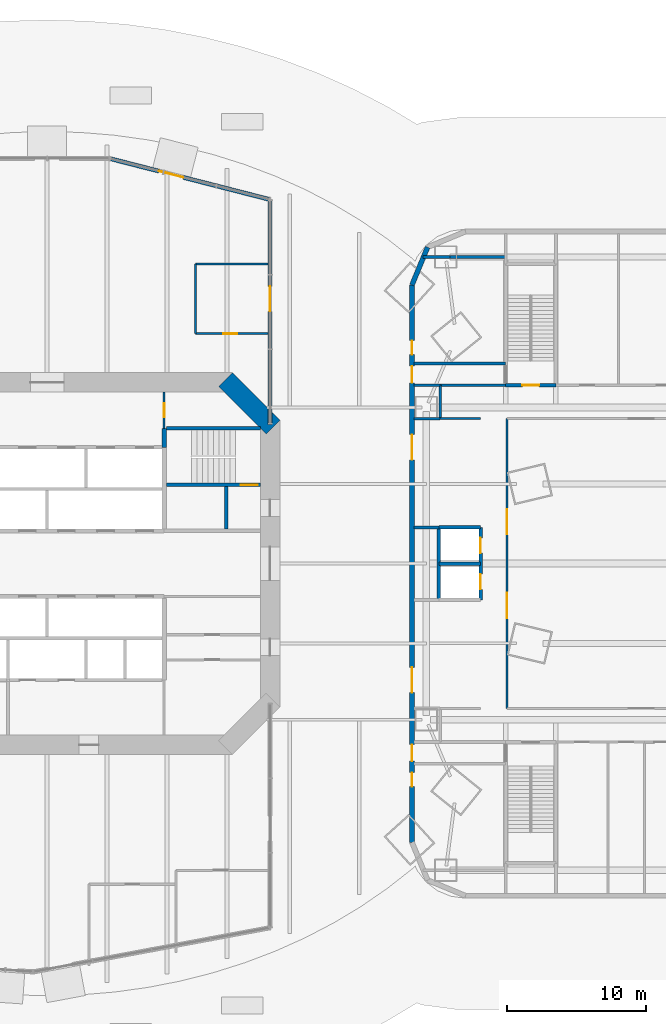
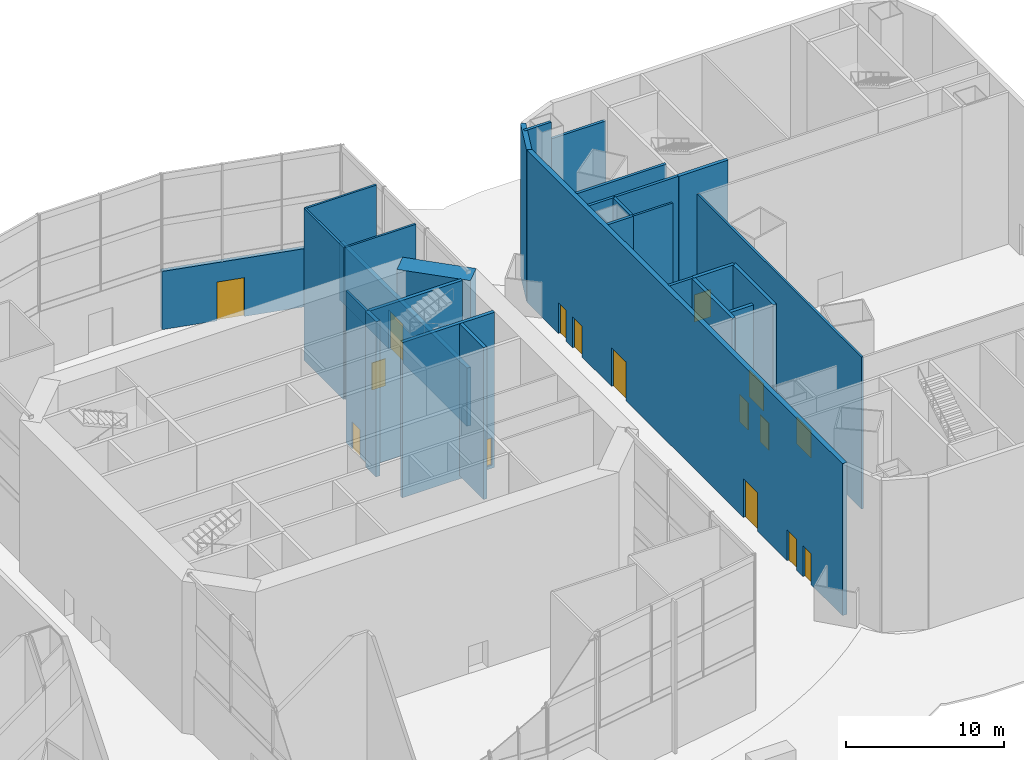
# One storey, part 16 of 23: 28 walls, 16 doors, 16 openings.
"""IFC4 building model written with IfcOpenShell, lengths in metres."""

from ifc_helpers import new_model, si_unit, direction, frame, frame_2d, origin, place, context, subcontext, project, spatial, rectangle, extrude, material, layer, layer_set, type_object, element, fill, save


model = new_model("IFC4")

# Units and contexts
model_context = context("Model", 3, precision=1e-05, world=origin(), true_north=direction((0.0, 1.0)))
body_context = subcontext(model_context, "Body", "Model", "MODEL_VIEW")
ifc_project = project(units=[si_unit("LENGTHUNIT", "METRE"), si_unit("AREAUNIT", "SQUARE_METRE"), si_unit("VOLUMEUNIT", "CUBIC_METRE"), si_unit("PLANEANGLEUNIT", "RADIAN"), si_unit("MASSUNIT", "GRAM", prefix="KILO")], contexts=[model_context])

# Site, building, storey
site_placement = place(None, origin())
site = spatial("IfcSite", under=ifc_project, at=site_placement, CompositionType="ELEMENT")
building_placement = place(site_placement, origin())
building = spatial("IfcBuilding", under=site, at=building_placement, Name="Marenthal Gate Tower", CompositionType="ELEMENT")
storey_placement = place(building_placement, origin())
storey = spatial("IfcBuildingStorey", under=building, at=storey_placement, Name="L00", CompositionType="ELEMENT", Elevation=0.0)

# Wall
ifc_material_1 = material(Name="Concrete 60 MPa", Category="concrete")
ifc_layer_1 = layer(ifc_material_1, 1.39990234375)
ifc_layer_set_1 = layer_set([ifc_layer_1], Name="Core shear wall 1400")
wall_type_1 = type_object("IfcWallType", Name="Core shear wall 1400", PredefinedType="SHEAR", material=ifc_layer_set_1)
wall_1_placement = place(storey_placement, frame((16.205078125, 9.794921875, -0.25), z_axis=(0.0, 0.0, 1.0), x_axis=(-0.707106781187, 0.707106781187, 0.0)))
element("IfcWall", 1, at=wall_1_placement, inside=storey, type_object=wall_type_1, Name="Core wall 03", PredefinedType="SHEAR", context=body_context, shape_type="SweptSolid", body=[
    extrude(rectangle(XDim=4.82275390625, YDim=1.39990234375, at=frame_2d((2.411376953125, 0.0))), origin(), (0.0, 0.0, 1.0), 12.0),
])

# Wall, opening, door
ifc_material_2 = material(Name="Terracotta cladding on insulated concrete-block backing", Category="masonry")
ifc_layer_2 = layer(ifc_material_2, 0.300048828125)
ifc_layer_set_2 = layer_set([ifc_layer_2], Name="Entrance portal wall 300")
wall_type_2 = type_object("IfcWallType", Name="Entrance portal wall 300", PredefinedType="SOLIDWALL", material=ifc_layer_set_2)
wall_2_placement = place(storey_placement, frame((4.5, 29.06103515625, 0.0), z_axis=(0.0, 0.0, 1.0), x_axis=(0.968767439199, -0.247971064335, 0.0)))
wall_2 = element("IfcWall", 2, at=wall_2_placement, inside=storey, type_object=wall_type_2, Name="Entrance portal wall N3", PredefinedType="SOLIDWALL", context=body_context, shape_type="SweptSolid", body=[
    extrude(rectangle(XDim=11.870849609375, YDim=0.300048828125, at=frame_2d((5.935546875, 0.0))), origin(), (0.0, 0.0, 1.0), 4.5),
])
opening_1_placement = place(wall_2_placement, frame((3.640380859375, 0.0, 0.0)))
opening_1 = element("IfcOpeningElement", 3, at=opening_1_placement, cuts=wall_2, Name="Opening DE1-L00-03", PredefinedType="OPENING", context=body_context, shape_type="SweptSolid", body=[
    extrude(rectangle(XDim=1.800048828125, YDim=3.0, at=frame_2d((0.89990234375, 1.5))), frame((0.0, 0.16015625, 0.0), z_axis=(0.0, -1.0, 0.0), x_axis=(1.0, 0.0, 0.0)), (0.0, 0.0, 1.0), 0.320068359375),
])
ifc_material_3 = material(Name="Aluminium and glass", Category="aluminium")
door_type_1 = type_object("IfcDoorType", Name="Entrance door 1800x3000", OperationType="DOUBLE_DOOR_DOUBLE_SWING", PredefinedType="DOOR", material=ifc_material_3)
door_1_placement = place(opening_1_placement, origin())
door_1 = element("IfcDoor", 4, at=door_1_placement, inside=storey, type_object=door_type_1, Name="Exterior door DE1-L00-03 L00", OperationType="DOUBLE_DOOR_DOUBLE_SWING", OverallHeight=3.0, OverallWidth=1.800048828125, PredefinedType="DOOR", context=body_context, shape_type="SweptSolid", body=[
    extrude(rectangle(XDim=1.800048828125, YDim=3.0, at=frame_2d((0.89990234375, 1.5))), frame((0.0, 0.02490234375, 0.0), z_axis=(0.0, -1.0, 0.0), x_axis=(1.0, 0.0, 0.0)), (0.0, 0.0, 1.0), 0.050048828125),
])
fill(opening_1, door_1)

wall_3_placement = place(storey_placement, frame((16.0, 10.0, 0.0), z_axis=(0.0, 0.0, 1.0), x_axis=(0.0, 1.0, 0.0)))
wall_3 = element("IfcWall", 5, at=wall_3_placement, inside=storey, type_object=wall_type_2, Name="Hall wall NE1", PredefinedType="SOLIDWALL", context=body_context, shape_type="SweptSolid", body=[
    extrude(rectangle(XDim=16.117431640625, YDim=0.300048828125, at=frame_2d((8.05859375, 0.0))), origin(), (0.0, 0.0, 1.0), 4.5),
])
opening_2_placement = place(wall_3_placement, frame((8.10009765625, 0.0, 0.0)))
opening_2 = element("IfcOpeningElement", 6, at=opening_2_placement, cuts=wall_3, Name="Opening DE1-L00-08", PredefinedType="OPENING", context=body_context, shape_type="SweptSolid", body=[
    extrude(rectangle(XDim=1.800048828125, YDim=3.0, at=frame_2d((0.89990234375, 1.5))), frame((0.0, 0.16015625, 0.0), z_axis=(0.0, -1.0, 0.0), x_axis=(1.0, 0.0, 0.0)), (0.0, 0.0, 1.0), 0.320068359375),
])
door_2_placement = place(opening_2_placement, frame((1.800048828125, 0.0, 0.0), z_axis=(0.0, 0.0, 1.0), x_axis=(-1.0, 0.0, 0.0)))
door_2 = element("IfcDoor", 7, at=door_2_placement, inside=storey, type_object=door_type_1, Name="Exterior door DE1-L00-08 L00", OperationType="DOUBLE_DOOR_DOUBLE_SWING", OverallHeight=3.0, OverallWidth=1.800048828125, PredefinedType="DOOR", context=body_context, shape_type="SweptSolid", body=[
    extrude(rectangle(XDim=1.800048828125, YDim=3.0, at=frame_2d((0.89990234375, 1.5))), frame((0.0, 0.02490234375, 0.0), z_axis=(0.0, -1.0, 0.0), x_axis=(1.0, 0.0, 0.0)), (0.0, 0.0, 1.0), 0.050048828125),
])
fill(opening_2, door_2)

# Walls
ifc_material_4 = material(Name="Concrete 40 MPa", Category="concrete")
ifc_layer_3 = layer(ifc_material_4, 0.25)
ifc_layer_set_3 = layer_set([ifc_layer_3], Name="Hoistway wall 250")
wall_type_3 = type_object("IfcWallType", Name="Hoistway wall 250", PredefinedType="STANDARD", material=ifc_layer_set_3)
wall_4_placement = place(storey_placement, frame((28.10009765625, 0.0, 0.0), z_axis=(0.0, 0.0, 1.0), x_axis=(1.0, 0.0, 0.0)))
element("IfcWall", 8, at=wall_4_placement, inside=storey, type_object=wall_type_3, Name="Hoistway wall 51", PredefinedType="STANDARD", context=body_context, shape_type="SweptSolid", body=[
    extrude(rectangle(XDim=3.0, YDim=0.25, at=frame_2d((1.5, 0.0))), origin(), (0.0, 0.0, 1.0), 10.25),
])
wall_5_placement = place(storey_placement, frame((28.10009765625, 2.60009765625, 0.0), z_axis=(0.0, 0.0, 1.0), x_axis=(1.0, 0.0, 0.0)))
element("IfcWall", 9, at=wall_5_placement, inside=storey, type_object=wall_type_3, Name="Hoistway wall 53", PredefinedType="STANDARD", context=body_context, shape_type="SweptSolid", body=[
    extrude(rectangle(XDim=3.0, YDim=0.25, at=frame_2d((1.5, 0.0))), origin(), (0.0, 0.0, 1.0), 11.75),
])

# Wall, openings, doors
wall_6_placement = place(storey_placement, frame((31.10009765625, -2.60009765625, 0.0), z_axis=(0.0, 0.0, 1.0), x_axis=(0.0, 1.0, 0.0)))
wall_6 = element("IfcWall", 10, at=wall_6_placement, inside=storey, type_object=wall_type_3, Name="Hoistway wall 54", PredefinedType="STANDARD", context=body_context, shape_type="SweptSolid", body=[
    extrude(rectangle(XDim=5.2001953125, YDim=0.25, at=frame_2d((2.60009765625, 0.0))), origin(), (0.0, 0.0, 1.0), 11.75),
])
opening_3_placement = place(wall_6_placement, frame((0.75, 0.0, 0.0)))
opening_3 = element("IfcOpeningElement", 11, at=opening_3_placement, cuts=wall_6, Name="Opening LD.01", PredefinedType="OPENING", context=body_context, shape_type="SweptSolid", body=[
    extrude(rectangle(XDim=1.10009765625, YDim=2.10009765625, at=frame_2d((0.550048828125, 1.050048828125))), frame((0.0, 0.135009765625, 0.0), z_axis=(0.0, -1.0, 0.0), x_axis=(1.0, 0.0, 0.0)), (0.0, 0.0, 1.0), 0.27001953125),
])
opening_4_placement = place(wall_6_placement, frame((3.35009765625, 0.0, 0.0)))
opening_4 = element("IfcOpeningElement", 12, at=opening_4_placement, cuts=wall_6, Name="Opening LD.02", PredefinedType="OPENING", context=body_context, shape_type="SweptSolid", body=[
    extrude(rectangle(XDim=1.10009765625, YDim=2.10009765625, at=frame_2d((0.550048828125, 1.050048828125))), frame((0.0, 0.135009765625, 0.0), z_axis=(0.0, -1.0, 0.0), x_axis=(1.0, 0.0, 0.0)), (0.0, 0.0, 1.0), 0.27001953125),
])
ifc_material_5 = material(Name="Stainless steel sliding door", Category="steel")
door_type_2 = type_object("IfcDoorType", Name="Lift landing door FD 90 1100 x 2100", OperationType="DOUBLE_DOOR_SLIDING", PredefinedType="DOOR", material=ifc_material_5)
door_3_placement = place(opening_3_placement, origin())
door_3 = element("IfcDoor", 13, at=door_3_placement, inside=storey, type_object=door_type_2, Name="Lift landing door 01", OperationType="DOUBLE_DOOR_SLIDING", OverallHeight=2.10009765625, OverallWidth=1.10009765625, PredefinedType="DOOR", context=body_context, shape_type="SweptSolid", body=[
    extrude(rectangle(XDim=1.10009765625, YDim=2.10009765625, at=frame_2d((0.550048828125, 1.050048828125))), frame((0.0, 0.02490234375, 0.0), z_axis=(0.0, -1.0, 0.0), x_axis=(1.0, 0.0, 0.0)), (0.0, 0.0, 1.0), 0.050048828125),
])
fill(opening_3, door_3)
door_4_placement = place(opening_4_placement, origin())
door_4 = element("IfcDoor", 14, at=door_4_placement, inside=storey, type_object=door_type_2, Name="Lift landing door 02", OperationType="DOUBLE_DOOR_SLIDING", OverallHeight=2.10009765625, OverallWidth=1.10009765625, PredefinedType="DOOR", context=body_context, shape_type="SweptSolid", body=[
    extrude(rectangle(XDim=1.10009765625, YDim=2.10009765625, at=frame_2d((0.550048828125, 1.050048828125))), frame((0.0, 0.02490234375, 0.0), z_axis=(0.0, -1.0, 0.0), x_axis=(1.0, 0.0, 0.0)), (0.0, 0.0, 1.0), 0.050048828125),
])
fill(opening_4, door_4)

# Wall
wall_7_placement = place(storey_placement, frame((28.10009765625, -2.60009765625, 0.0), z_axis=(0.0, 0.0, 1.0), x_axis=(0.0, 1.0, 0.0)))
element("IfcWall", 15, at=wall_7_placement, inside=storey, type_object=wall_type_3, Name="Hoistway wall 55", PredefinedType="STANDARD", context=body_context, shape_type="SweptSolid", body=[
    extrude(rectangle(XDim=5.2001953125, YDim=0.25, at=frame_2d((2.60009765625, 0.0))), origin(), (0.0, 0.0, 1.0), 11.75),
])

# Wall, opening, door
ifc_material_6 = material(Name="Gypsum board on steel studs", Category="steel")
ifc_layer_4 = layer(ifc_material_6, 0.14990234375)
ifc_layer_set_4 = layer_set([ifc_layer_4], Name="Partition 150")
wall_type_4 = type_object("IfcWallType", Name="Partition 150", PredefinedType="PARTITIONING", material=ifc_layer_set_4)
wall_8_placement = place(storey_placement, frame((8.39990234375, 9.699951171875, 0.0), z_axis=(0.0, 0.0, 1.0), x_axis=(0.0, 1.0, 0.0)))
wall_8 = element("IfcWall", 16, at=wall_8_placement, inside=storey, type_object=wall_type_4, Name="Partition wall 46", PredefinedType="PARTITIONING", context=body_context, shape_type="SweptSolid", body=[
    extrude(rectangle(XDim=2.60009765625, YDim=0.14990234375, at=frame_2d((1.300048828125, 0.0))), origin(), (0.0, 0.0, 1.0), 11.75),
])
opening_5_placement = place(wall_8_placement, frame((0.800048828125, 0.0, 0.0)))
opening_5 = element("IfcOpeningElement", 17, at=opening_5_placement, cuts=wall_8, Name="Opening D005.02", PredefinedType="OPENING", context=body_context, shape_type="SweptSolid", body=[
    extrude(rectangle(XDim=1.0, YDim=2.10009765625, at=frame_2d((0.5, 1.050048828125))), frame((0.0, 0.0849609375, 0.0), z_axis=(0.0, -1.0, 0.0), x_axis=(1.0, 0.0, 0.0)), (0.0, 0.0, 1.0), 0.169921875),
])
ifc_material_7 = material(Name="Steel fire door", Category="steel")
door_type_3 = type_object("IfcDoorType", Name="Fire door FD 45 1000 x 2100", OperationType="NOTDEFINED", PredefinedType="DOOR", material=ifc_material_7)
door_5_placement = place(opening_5_placement, frame((1.0, 0.0, 0.0), z_axis=(0.0, 0.0, 1.0), x_axis=(-1.0, 0.0, 0.0)))
door_5 = element("IfcDoor", 18, at=door_5_placement, inside=storey, type_object=door_type_3, Name="Door D005.02", OperationType="SINGLE_SWING_LEFT", OverallHeight=2.10009765625, OverallWidth=1.0, PredefinedType="DOOR", context=body_context, shape_type="SweptSolid", body=[
    extrude(rectangle(XDim=1.0, YDim=2.10009765625, at=frame_2d((0.5, 1.050048828125))), frame((0.0, 0.02490234375, 0.0), z_axis=(0.0, -1.0, 0.0), x_axis=(1.0, 0.0, 0.0)), (0.0, 0.0, 1.0), 0.050048828125),
])
fill(opening_5, door_5)

# Wall
wall_9_placement = place(storey_placement, frame((28.199951171875, 10.39990234375, 0.0), z_axis=(0.0, 0.0, 1.0), x_axis=(1.0, 0.0, 0.0)))
element("IfcWall", 19, at=wall_9_placement, inside=storey, type_object=wall_type_4, Name="Partition wall 82", PredefinedType="PARTITIONING", context=body_context, shape_type="SweptSolid", body=[
    extrude(rectangle(XDim=2.905029296875, YDim=0.14990234375, at=frame_2d((1.45263671875, 0.0))), origin(), (0.0, 0.0, 1.0), 11.75),
])

# Wall, opening, door
wall_10_placement = place(storey_placement, frame((10.64990234375, 16.5, 0.0), z_axis=(0.0, 0.0, 1.0), x_axis=(1.0, 0.0, 0.0)))
wall_10 = element("IfcWall", 20, at=wall_10_placement, inside=storey, type_object=wall_type_4, Name="Partition wall 87", PredefinedType="PARTITIONING", context=body_context, shape_type="SweptSolid", body=[
    extrude(rectangle(XDim=5.2001953125, YDim=0.14990234375, at=frame_2d((2.60009765625, 0.0))), origin(), (0.0, 0.0, 1.0), 11.75),
])
opening_6_placement = place(wall_10_placement, frame((2.0, 0.0, 0.0)))
opening_6 = element("IfcOpeningElement", 21, at=opening_6_placement, cuts=wall_10, Name="Opening D012.02", PredefinedType="OPENING", context=body_context, shape_type="SweptSolid", body=[
    extrude(rectangle(XDim=1.0, YDim=2.10009765625, at=frame_2d((0.5, 1.050048828125))), frame((0.0, 0.0849609375, 0.0), z_axis=(0.0, -1.0, 0.0), x_axis=(1.0, 0.0, 0.0)), (0.0, 0.0, 1.0), 0.169921875),
])
ifc_material_8 = material(Name="Timber door", Category="wood")
door_type_4 = type_object("IfcDoorType", Name="Door 1000 x 2100", OperationType="NOTDEFINED", PredefinedType="DOOR", material=ifc_material_8)
door_6_placement = place(opening_6_placement, origin())
door_6 = element("IfcDoor", 22, at=door_6_placement, inside=storey, type_object=door_type_4, Name="Door D012.02", OperationType="SINGLE_SWING_RIGHT", OverallHeight=2.10009765625, OverallWidth=1.0, PredefinedType="DOOR", context=body_context, shape_type="SweptSolid", body=[
    extrude(rectangle(XDim=1.0, YDim=2.10009765625, at=frame_2d((0.5, 1.050048828125))), frame((0.0, 0.02490234375, 0.0), z_axis=(0.0, -1.0, 0.0), x_axis=(1.0, 0.0, 0.0)), (0.0, 0.0, 1.0), 0.050048828125),
])
fill(opening_6, door_6)

# Wall
wall_11_placement = place(storey_placement, frame((10.64990234375, 21.5, 0.0), z_axis=(0.0, 0.0, 1.0), x_axis=(1.0, 0.0, 0.0)))
element("IfcWall", 23, at=wall_11_placement, inside=storey, type_object=wall_type_4, Name="Partition wall 88", PredefinedType="PARTITIONING", context=body_context, shape_type="SweptSolid", body=[
    extrude(rectangle(XDim=5.2001953125, YDim=0.14990234375, at=frame_2d((2.60009765625, 0.0))), origin(), (0.0, 0.0, 1.0), 11.75),
])

# Wall, openings, doors
wall_12_placement = place(storey_placement, frame((33.0, -10.39990234375, 0.0), z_axis=(0.0, 0.0, 1.0), x_axis=(0.0, 1.0, 0.0)))
wall_12 = element("IfcWall", 24, at=wall_12_placement, inside=storey, type_object=wall_type_4, Name="Partition wall 92", PredefinedType="PARTITIONING", context=body_context, shape_type="SweptSolid", body=[
    extrude(rectangle(XDim=20.7998046875, YDim=0.14990234375, at=frame_2d((10.39990234375, 0.0))), origin(), (0.0, 0.0, 1.0), 11.75),
])
opening_7_placement = place(wall_12_placement, frame((12.5, 0.0, 0.0)))
opening_7 = element("IfcOpeningElement", 25, at=opening_7_placement, cuts=wall_12, Name="Opening D014.03", PredefinedType="OPENING", context=body_context, shape_type="SweptSolid", body=[
    extrude(rectangle(XDim=1.800048828125, YDim=2.10009765625, at=frame_2d((0.89990234375, 1.050048828125))), frame((0.0, 0.0849609375, 0.0), z_axis=(0.0, -1.0, 0.0), x_axis=(1.0, 0.0, 0.0)), (0.0, 0.0, 1.0), 0.169921875),
])
opening_8_placement = place(wall_12_placement, frame((6.5, 0.0, 0.0)))
opening_8 = element("IfcOpeningElement", 26, at=opening_8_placement, cuts=wall_12, Name="Opening D014.04", PredefinedType="OPENING", context=body_context, shape_type="SweptSolid", body=[
    extrude(rectangle(XDim=1.800048828125, YDim=2.10009765625, at=frame_2d((0.89990234375, 1.050048828125))), frame((0.0, 0.0849609375, 0.0), z_axis=(0.0, -1.0, 0.0), x_axis=(1.0, 0.0, 0.0)), (0.0, 0.0, 1.0), 0.169921875),
])
ifc_material_9 = material(Name="Timber door", Category="wood")
door_type_5 = type_object("IfcDoorType", Name="Double door 1800 x 2100", OperationType="DOUBLE_DOOR_SINGLE_SWING", PredefinedType="DOOR", material=ifc_material_9)
door_7_placement = place(opening_7_placement, origin())
door_7 = element("IfcDoor", 27, at=door_7_placement, inside=storey, type_object=door_type_5, Name="Door D014.03", OperationType="DOUBLE_DOOR_SINGLE_SWING", OverallHeight=2.10009765625, OverallWidth=1.800048828125, PredefinedType="DOOR", context=body_context, shape_type="SweptSolid", body=[
    extrude(rectangle(XDim=1.800048828125, YDim=2.10009765625, at=frame_2d((0.89990234375, 1.050048828125))), frame((0.0, 0.02490234375, 0.0), z_axis=(0.0, -1.0, 0.0), x_axis=(1.0, 0.0, 0.0)), (0.0, 0.0, 1.0), 0.050048828125),
])
fill(opening_7, door_7)
door_8_placement = place(opening_8_placement, origin())
door_8 = element("IfcDoor", 28, at=door_8_placement, inside=storey, type_object=door_type_5, Name="Door D014.04", OperationType="DOUBLE_DOOR_SINGLE_SWING", OverallHeight=2.10009765625, OverallWidth=1.800048828125, PredefinedType="DOOR", context=body_context, shape_type="SweptSolid", body=[
    extrude(rectangle(XDim=1.800048828125, YDim=2.10009765625, at=frame_2d((0.89990234375, 1.050048828125))), frame((0.0, 0.02490234375, 0.0), z_axis=(0.0, -1.0, 0.0), x_axis=(1.0, 0.0, 0.0)), (0.0, 0.0, 1.0), 0.050048828125),
])
fill(opening_8, door_8)

# Walls
wall_13_placement = place(storey_placement, frame((10.64990234375, 16.5, 0.0), z_axis=(0.0, 0.0, 1.0), x_axis=(0.0, 1.0, 0.0)))
element("IfcWall", 29, at=wall_13_placement, inside=storey, type_object=wall_type_4, Name="Partition wall 93", PredefinedType="PARTITIONING", context=body_context, shape_type="SweptSolid", body=[
    extrude(rectangle(XDim=5.0, YDim=0.14990234375, at=frame_2d((2.5, 0.0))), origin(), (0.0, 0.0, 1.0), 11.75),
])
ifc_material_10 = material(Name="Gypsum board on steel studs", Category="steel")
ifc_layer_5 = layer(ifc_material_10, 0.199951171875)
ifc_layer_set_5 = layer_set([ifc_layer_5], Name="Partition 200")
wall_type_5 = type_object("IfcWallType", Name="Partition 200", PredefinedType="PARTITIONING", material=ifc_layer_set_5)
wall_14_placement = place(storey_placement, frame((28.199951171875, 12.800048828125, 0.0), z_axis=(0.0, 0.0, 1.0), x_axis=(1.0, 0.0, 0.0)))
element("IfcWall", 30, at=wall_14_placement, inside=storey, type_object=wall_type_5, Name="Partition wall 64", PredefinedType="PARTITIONING", context=body_context, shape_type="SweptSolid", body=[
    extrude(rectangle(XDim=4.705078125, YDim=0.199951171875, at=frame_2d((2.3525390625, 0.0))), origin(), (0.0, 0.0, 1.0), 11.75),
])
wall_15_placement = place(storey_placement, frame((26.330078125, 14.35009765625, 0.0), z_axis=(0.0, 0.0, 1.0), x_axis=(1.0, 0.0, 0.0)))
element("IfcWall", 31, at=wall_15_placement, inside=storey, type_object=wall_type_5, Name="Partition wall 67", PredefinedType="PARTITIONING", context=body_context, shape_type="SweptSolid", body=[
    extrude(rectangle(XDim=6.56982421875, YDim=0.199951171875, at=frame_2d((3.284912109375, 0.0))), origin(), (0.0, 0.0, 1.0), 11.75),
])
wall_16_placement = place(storey_placement, frame((26.330078125, 2.60009765625, 0.0), z_axis=(0.0, 0.0, 1.0), x_axis=(1.0, 0.0, 0.0)))
element("IfcWall", 32, at=wall_16_placement, inside=storey, type_object=wall_type_5, Name="Partition wall 11", PredefinedType="PARTITIONING", context=body_context, shape_type="SweptSolid", body=[
    extrude(rectangle(XDim=1.77001953125, YDim=0.199951171875, at=frame_2d((0.885009765625, 0.0))), origin(), (0.0, 0.0, 1.0), 11.75),
])
for number, where, z_axis, x_axis, name in (
    (33, (26.330078125, 10.39990234375, 0.0), (0.0, 0.0, 1.0), (1.0, 0.0, 0.0), "Partition wall 14"),
    (34, (26.330078125, 12.800048828125, 0.0), (0.0, 0.0, 1.0), (1.0, 0.0, 0.0), "Partition wall 18"),
):
    element("IfcWall", number, at=place(storey_placement, frame(where, z_axis=z_axis, x_axis=x_axis)), inside=storey, type_object=wall_type_5, Name=name, PredefinedType="PARTITIONING", context=body_context, shape_type="SweptSolid", body=[
        extrude(rectangle(XDim=1.873779296875, YDim=0.199951171875, at=frame_2d((0.93701171875, 0.0))), origin(), (0.0, 0.0, 1.0), 11.75),
    ])
wall_17_placement = place(storey_placement, frame((26.951904296875, 22.0, 0.0), z_axis=(0.0, 0.0, 1.0), x_axis=(1.0, 0.0, 0.0)))
element("IfcWall", 35, at=wall_17_placement, inside=storey, type_object=wall_type_5, Name="Partition wall 23", PredefinedType="PARTITIONING", context=body_context, shape_type="SweptSolid", body=[
    extrude(rectangle(XDim=1.947998046875, YDim=0.199951171875, at=frame_2d((0.97412109375, 0.0))), origin(), (0.0, 0.0, 1.0), 11.75),
])
wall_18_placement = place(storey_placement, frame((28.89990234375, 22.0, 0.0), z_axis=(0.0, 0.0, 1.0), x_axis=(1.0, 0.0, 0.0)))
element("IfcWall", 36, at=wall_18_placement, inside=storey, type_object=wall_type_5, Name="Partition wall 177", PredefinedType="PARTITIONING", context=body_context, shape_type="SweptSolid", body=[
    extrude(rectangle(XDim=4.0, YDim=0.199951171875, at=frame_2d((2.0, 0.0))), origin(), (0.0, 0.0, 1.0), 10.449951171875),
])
wall_19_placement = place(storey_placement, frame((28.199951171875, 10.39990234375, 0.0), z_axis=(0.0, 0.0, 1.0), x_axis=(0.0, 1.0, 0.0)))
element("IfcWall", 37, at=wall_19_placement, inside=storey, type_object=wall_type_5, Name="Partition wall 34", PredefinedType="PARTITIONING", context=body_context, shape_type="SweptSolid", body=[
    extrude(rectangle(XDim=2.400146484375, YDim=0.199951171875, at=frame_2d((1.2001953125, 0.0))), origin(), (0.0, 0.0, 1.0), 11.75),
])
ifc_material_11 = material(Name="Concrete 40 MPa", Category="concrete")
ifc_layer_6 = layer(ifc_material_11, 0.25)
ifc_layer_set_6 = layer_set([ifc_layer_6], Name="Stair enclosure wall 250")
wall_type_6 = type_object("IfcWallType", Name="Stair enclosure wall 250", PredefinedType="STANDARD", material=ifc_layer_set_6)
wall_20_placement = place(storey_placement, frame((12.85009765625, 2.47509765625, 0.0), z_axis=(0.0, 0.0, 1.0), x_axis=(0.0, 1.0, 0.0)))
element("IfcWall", 38, at=wall_20_placement, inside=storey, type_object=wall_type_6, Name="Stair wall 47", PredefinedType="STANDARD", context=body_context, shape_type="SweptSolid", body=[
    extrude(rectangle(XDim=3.0498046875, YDim=0.25, at=frame_2d((1.52490234375, 0.0))), origin(), (0.0, 0.0, 1.0), 11.75),
])

# Wall, opening, door
ifc_material_12 = material(Name="Concrete 50 MPa", Category="concrete")
ifc_layer_7 = layer(ifc_material_12, 0.25)
ifc_layer_set_7 = layer_set([ifc_layer_7], Name="Stair shear wall 250")
wall_type_7 = type_object("IfcWallType", Name="Stair shear wall 250", PredefinedType="SHEAR", material=ifc_layer_set_7)
wall_21_placement = place(storey_placement, frame((8.550048828125, 5.64990234375, -0.25), z_axis=(0.0, 0.0, 1.0), x_axis=(1.0, 0.0, 0.0)))
wall_21 = element("IfcWall", 39, at=wall_21_placement, inside=storey, type_object=wall_type_7, Name="Stair wall 24", PredefinedType="SHEAR", context=body_context, shape_type="SweptSolid", body=[
    extrude(rectangle(XDim=6.75, YDim=0.25, at=frame_2d((3.375, 0.0))), origin(), (0.0, 0.0, 1.0), 12.0),
])
opening_9_placement = place(wall_21_placement, frame((5.35009765625, 0.0, 0.25)))
opening_9 = element("IfcOpeningElement", 40, at=opening_9_placement, cuts=wall_21, Name="Opening D001.02", PredefinedType="OPENING", context=body_context, shape_type="SweptSolid", body=[
    extrude(rectangle(XDim=1.199951171875, YDim=2.10009765625, at=frame_2d((0.60009765625, 1.050048828125))), frame((0.0, 0.135009765625, 0.0), z_axis=(0.0, -1.0, 0.0), x_axis=(1.0, 0.0, 0.0)), (0.0, 0.0, 1.0), 0.27001953125),
])
ifc_material_13 = material(Name="Steel fire door", Category="steel")
door_type_6 = type_object("IfcDoorType", Name="Fire door FD 90 1200 x 2100", OperationType="NOTDEFINED", PredefinedType="DOOR", material=ifc_material_13)
door_9_placement = place(opening_9_placement, origin())
door_9 = element("IfcDoor", 41, at=door_9_placement, inside=storey, type_object=door_type_6, Name="Door D001.02", OperationType="SINGLE_SWING_RIGHT", OverallHeight=2.10009765625, OverallWidth=1.199951171875, PredefinedType="DOOR", context=body_context, shape_type="SweptSolid", body=[
    extrude(rectangle(XDim=1.199951171875, YDim=2.10009765625, at=frame_2d((0.60009765625, 1.050048828125))), frame((0.0, 0.02490234375, 0.0), z_axis=(0.0, -1.0, 0.0), x_axis=(1.0, 0.0, 0.0)), (0.0, 0.0, 1.0), 0.050048828125),
])
fill(opening_9, door_9)

# Wall
wall_22_placement = place(storey_placement, frame((8.550048828125, 9.699951171875, -0.25), z_axis=(0.0, 0.0, 1.0), x_axis=(1.0, 0.0, 0.0)))
element("IfcWall", 42, at=wall_22_placement, inside=storey, type_object=wall_type_7, Name="Stair wall 27", PredefinedType="SHEAR", context=body_context, shape_type="SweptSolid", body=[
    extrude(rectangle(XDim=6.75, YDim=0.25, at=frame_2d((3.375, 0.0))), origin(), (0.0, 0.0, 1.0), 12.0),
])

# Wall, opening, door
wall_23_placement = place(storey_placement, frame((32.89501953125, 12.800048828125, 0.0), z_axis=(0.0, 0.0, 1.0), x_axis=(1.0, 0.0, 0.0)))
wall_23 = element("IfcWall", 43, at=wall_23_placement, inside=storey, type_object=wall_type_7, Name="Stair wall 51", PredefinedType="SHEAR", context=body_context, shape_type="SweptSolid", body=[
    extrude(rectangle(XDim=3.60986328125, YDim=0.25, at=frame_2d((1.804931640625, 0.0))), origin(), (0.0, 0.0, 1.0), 11.75),
])
opening_10_placement = place(wall_23_placement, frame((1.205078125, 0.0, 0.0)))
opening_10 = element("IfcOpeningElement", 44, at=opening_10_placement, cuts=wall_23, Name="Opening D001.07", PredefinedType="OPENING", context=body_context, shape_type="SweptSolid", body=[
    extrude(rectangle(XDim=1.199951171875, YDim=2.10009765625, at=frame_2d((0.60009765625, 1.050048828125))), frame((0.0, 0.135009765625, 0.0), z_axis=(0.0, -1.0, 0.0), x_axis=(1.0, 0.0, 0.0)), (0.0, 0.0, 1.0), 0.27001953125),
])
door_10_placement = place(opening_10_placement, origin())
door_10 = element("IfcDoor", 45, at=door_10_placement, inside=storey, type_object=door_type_6, Name="Door D001.07", OperationType="SINGLE_SWING_RIGHT", OverallHeight=2.10009765625, OverallWidth=1.199951171875, PredefinedType="DOOR", context=body_context, shape_type="SweptSolid", body=[
    extrude(rectangle(XDim=1.199951171875, YDim=2.10009765625, at=frame_2d((0.60009765625, 1.050048828125))), frame((0.0, 0.02490234375, 0.0), z_axis=(0.0, -1.0, 0.0), x_axis=(1.0, 0.0, 0.0)), (0.0, 0.0, 1.0), 0.050048828125),
])
fill(opening_10, door_10)

# Walls
ifc_material_14 = material(Name="Concrete 50 MPa", Category="concrete")
ifc_layer_8 = layer(ifc_material_14, 0.300048828125)
ifc_layer_set_8 = layer_set([ifc_layer_8], Name="Stair shear wall 300")
wall_type_8 = type_object("IfcWallType", Name="Stair shear wall 300", PredefinedType="SHEAR", material=ifc_layer_set_8)
wall_24_placement = place(storey_placement, frame((8.39990234375, 8.35009765625, -0.25), z_axis=(0.0, 0.0, 1.0), x_axis=(0.0, 1.0, 0.0)))
element("IfcWall", 46, at=wall_24_placement, inside=storey, type_object=wall_type_8, Name="Stair wall 45", PredefinedType="SHEAR", context=body_context, shape_type="SweptSolid", body=[
    extrude(rectangle(XDim=1.349853515625, YDim=0.300048828125, at=frame_2d((0.6748046875, 0.0))), origin(), (0.0, 0.0, 1.0), 12.0),
])
ifc_material_15 = material(Name="Terracotta cladding on insulated concrete-block backing", Category="masonry")
ifc_layer_9 = layer(ifc_material_15, 0.35009765625)
ifc_layer_set_9 = layer_set([ifc_layer_9], Name="Terracotta cladding wall 350")
wall_type_9 = type_object("IfcWallType", Name="Terracotta cladding wall 350", PredefinedType="SOLIDWALL", material=ifc_layer_set_9)
wall_25_placement = place(storey_placement, frame((27.29638671875, 22.70361328125, 0.0), z_axis=(0.0, 0.0, 1.0), x_axis=(-0.381727741993, -0.924274813566, 0.0)))
element("IfcWall", 47, at=wall_25_placement, inside=storey, type_object=wall_type_9, Name="Terracotta cladding wall L00 E8", PredefinedType="SOLIDWALL", context=body_context, shape_type="SweptSolid", body=[
    extrude(rectangle(XDim=2.9375, YDim=0.35009765625, at=frame_2d((1.46875, 0.0))), origin(), (0.0, 0.0, 1.0), 11.75),
])

# Wall, openings, doors
wall_26_placement = place(storey_placement, frame((26.175048828125, 19.988525390625, 0.0), z_axis=(0.0, 0.0, 1.0), x_axis=(0.0, -1.0, 0.0)))
wall_26 = element("IfcWall", 48, at=wall_26_placement, inside=storey, type_object=wall_type_9, Name="Terracotta cladding wall L00 E9", PredefinedType="SOLIDWALL", context=body_context, shape_type="SweptSolid", body=[
    extrude(rectangle(XDim=39.97705078125, YDim=0.35009765625, at=frame_2d((19.988525390625, 0.0))), origin(), (0.0, 0.0, 1.0), 11.75),
])
opening_11_placement = place(wall_26_placement, frame((27.4384765625, 0.0, 0.0)))
opening_11 = element("IfcOpeningElement", 49, at=opening_11_placement, cuts=wall_26, Name="Opening DE1-L00-12", PredefinedType="OPENING", context=body_context, shape_type="SweptSolid", body=[
    extrude(rectangle(XDim=1.800048828125, YDim=3.0, at=frame_2d((0.89990234375, 1.5))), frame((0.0, 0.18505859375, 0.0), z_axis=(0.0, -1.0, 0.0), x_axis=(1.0, 0.0, 0.0)), (0.0, 0.0, 1.0), 0.3701171875),
])
opening_12_placement = place(wall_26_placement, frame((10.738525390625, 0.0, 0.0)))
opening_12 = element("IfcOpeningElement", 50, at=opening_12_placement, cuts=wall_26, Name="Opening DE1-L00-13", PredefinedType="OPENING", context=body_context, shape_type="SweptSolid", body=[
    extrude(rectangle(XDim=1.800048828125, YDim=3.0, at=frame_2d((0.89990234375, 1.5))), frame((0.0, 0.18505859375, 0.0), z_axis=(0.0, -1.0, 0.0), x_axis=(1.0, 0.0, 0.0)), (0.0, 0.0, 1.0), 0.3701171875),
])
opening_13_placement = place(wall_26_placement, frame((5.8134765625, 0.0, 0.0)))
opening_13 = element("IfcOpeningElement", 51, at=opening_13_placement, cuts=wall_26, Name="Opening DX1-L00-24", PredefinedType="OPENING", context=body_context, shape_type="SweptSolid", body=[
    extrude(rectangle(XDim=1.199951171875, YDim=2.39990234375, at=frame_2d((0.60009765625, 1.199951171875))), frame((0.0, 0.18505859375, 0.0), z_axis=(0.0, -1.0, 0.0), x_axis=(1.0, 0.0, 0.0)), (0.0, 0.0, 1.0), 0.3701171875),
])
opening_14_placement = place(wall_26_placement, frame((32.96337890625, 0.0, 0.0)))
opening_14 = element("IfcOpeningElement", 52, at=opening_14_placement, cuts=wall_26, Name="Opening DX1-L00-25", PredefinedType="OPENING", context=body_context, shape_type="SweptSolid", body=[
    extrude(rectangle(XDim=1.199951171875, YDim=2.39990234375, at=frame_2d((0.60009765625, 1.199951171875))), frame((0.0, 0.18505859375, 0.0), z_axis=(0.0, -1.0, 0.0), x_axis=(1.0, 0.0, 0.0)), (0.0, 0.0, 1.0), 0.3701171875),
])
opening_15_placement = place(wall_26_placement, frame((3.988525390625, 0.0, 0.0)))
opening_15 = element("IfcOpeningElement", 53, at=opening_15_placement, cuts=wall_26, Name="Opening DX1-L00-30", PredefinedType="OPENING", context=body_context, shape_type="SweptSolid", body=[
    extrude(rectangle(XDim=1.0, YDim=2.39990234375, at=frame_2d((0.5, 1.199951171875))), frame((0.0, 0.18505859375, 0.0), z_axis=(0.0, -1.0, 0.0), x_axis=(1.0, 0.0, 0.0)), (0.0, 0.0, 1.0), 0.3701171875),
])
opening_16_placement = place(wall_26_placement, frame((34.988525390625, 0.0, 0.0)))
opening_16 = element("IfcOpeningElement", 54, at=opening_16_placement, cuts=wall_26, Name="Opening DX1-L00-31", PredefinedType="OPENING", context=body_context, shape_type="SweptSolid", body=[
    extrude(rectangle(XDim=1.0, YDim=2.39990234375, at=frame_2d((0.5, 1.199951171875))), frame((0.0, 0.18505859375, 0.0), z_axis=(0.0, -1.0, 0.0), x_axis=(1.0, 0.0, 0.0)), (0.0, 0.0, 1.0), 0.3701171875),
])
door_11_placement = place(opening_11_placement, frame((1.800048828125, 0.0, 0.0), z_axis=(0.0, 0.0, 1.0), x_axis=(-1.0, 0.0, 0.0)))
door_11 = element("IfcDoor", 55, at=door_11_placement, inside=storey, type_object=door_type_1, Name="Exterior door DE1-L00-12 L00", OperationType="DOUBLE_DOOR_DOUBLE_SWING", OverallHeight=3.0, OverallWidth=1.800048828125, PredefinedType="DOOR", context=body_context, shape_type="SweptSolid", body=[
    extrude(rectangle(XDim=1.800048828125, YDim=3.0, at=frame_2d((0.89990234375, 1.5))), frame((0.0, 0.02490234375, 0.0), z_axis=(0.0, -1.0, 0.0), x_axis=(1.0, 0.0, 0.0)), (0.0, 0.0, 1.0), 0.050048828125),
])
fill(opening_11, door_11)
door_12_placement = place(opening_12_placement, frame((1.800048828125, 0.0, 0.0), z_axis=(0.0, 0.0, 1.0), x_axis=(-1.0, 0.0, 0.0)))
door_12 = element("IfcDoor", 56, at=door_12_placement, inside=storey, type_object=door_type_1, Name="Exterior door DE1-L00-13 L00", OperationType="DOUBLE_DOOR_DOUBLE_SWING", OverallHeight=3.0, OverallWidth=1.800048828125, PredefinedType="DOOR", context=body_context, shape_type="SweptSolid", body=[
    extrude(rectangle(XDim=1.800048828125, YDim=3.0, at=frame_2d((0.89990234375, 1.5))), frame((0.0, 0.02490234375, 0.0), z_axis=(0.0, -1.0, 0.0), x_axis=(1.0, 0.0, 0.0)), (0.0, 0.0, 1.0), 0.050048828125),
])
fill(opening_12, door_12)
ifc_material_16 = material(Name="Aluminium and glass", Category="aluminium")
door_type_7 = type_object("IfcDoorType", Name="Exit door 1000x2400", OperationType="NOTDEFINED", PredefinedType="DOOR", material=ifc_material_16)
door_13_placement = place(opening_15_placement, frame((1.0, 0.0, 0.0), z_axis=(0.0, 0.0, 1.0), x_axis=(-1.0, 0.0, 0.0)))
door_13 = element("IfcDoor", 57, at=door_13_placement, inside=storey, type_object=door_type_7, Name="Exterior door DX1-L00-30 L00", OperationType="SINGLE_SWING_RIGHT", OverallHeight=2.39990234375, OverallWidth=1.0, PredefinedType="DOOR", context=body_context, shape_type="SweptSolid", body=[
    extrude(rectangle(XDim=1.0, YDim=2.39990234375, at=frame_2d((0.5, 1.199951171875))), frame((0.0, 0.02490234375, 0.0), z_axis=(0.0, -1.0, 0.0), x_axis=(1.0, 0.0, 0.0)), (0.0, 0.0, 1.0), 0.050048828125),
])
fill(opening_15, door_13)
door_14_placement = place(opening_16_placement, frame((1.0, 0.0, 0.0), z_axis=(0.0, 0.0, 1.0), x_axis=(-1.0, 0.0, 0.0)))
door_14 = element("IfcDoor", 58, at=door_14_placement, inside=storey, type_object=door_type_7, Name="Exterior door DX1-L00-31 L00", OperationType="SINGLE_SWING_RIGHT", OverallHeight=2.39990234375, OverallWidth=1.0, PredefinedType="DOOR", context=body_context, shape_type="SweptSolid", body=[
    extrude(rectangle(XDim=1.0, YDim=2.39990234375, at=frame_2d((0.5, 1.199951171875))), frame((0.0, 0.02490234375, 0.0), z_axis=(0.0, -1.0, 0.0), x_axis=(1.0, 0.0, 0.0)), (0.0, 0.0, 1.0), 0.050048828125),
])
fill(opening_16, door_14)
ifc_material_17 = material(Name="Aluminium and glass", Category="aluminium")
door_type_8 = type_object("IfcDoorType", Name="Exit door 1200x2400", OperationType="NOTDEFINED", PredefinedType="DOOR", material=ifc_material_17)
door_15_placement = place(opening_13_placement, frame((1.199951171875, 0.0, 0.0), z_axis=(0.0, 0.0, 1.0), x_axis=(-1.0, 0.0, 0.0)))
door_15 = element("IfcDoor", 59, at=door_15_placement, inside=storey, type_object=door_type_8, Name="Exterior door DX1-L00-24 L00", OperationType="SINGLE_SWING_RIGHT", OverallHeight=2.39990234375, OverallWidth=1.199951171875, PredefinedType="DOOR", context=body_context, shape_type="SweptSolid", body=[
    extrude(rectangle(XDim=1.199951171875, YDim=2.39990234375, at=frame_2d((0.60009765625, 1.199951171875))), frame((0.0, 0.02490234375, 0.0), z_axis=(0.0, -1.0, 0.0), x_axis=(1.0, 0.0, 0.0)), (0.0, 0.0, 1.0), 0.050048828125),
])
fill(opening_13, door_15)
door_16_placement = place(opening_14_placement, frame((1.199951171875, 0.0, 0.0), z_axis=(0.0, 0.0, 1.0), x_axis=(-1.0, 0.0, 0.0)))
door_16 = element("IfcDoor", 60, at=door_16_placement, inside=storey, type_object=door_type_8, Name="Exterior door DX1-L00-25 L00", OperationType="SINGLE_SWING_RIGHT", OverallHeight=2.39990234375, OverallWidth=1.199951171875, PredefinedType="DOOR", context=body_context, shape_type="SweptSolid", body=[
    extrude(rectangle(XDim=1.199951171875, YDim=2.39990234375, at=frame_2d((0.60009765625, 1.199951171875))), frame((0.0, 0.02490234375, 0.0), z_axis=(0.0, -1.0, 0.0), x_axis=(1.0, 0.0, 0.0)), (0.0, 0.0, 1.0), 0.050048828125),
])
fill(opening_14, door_16)

save(model, "model.ifc")
